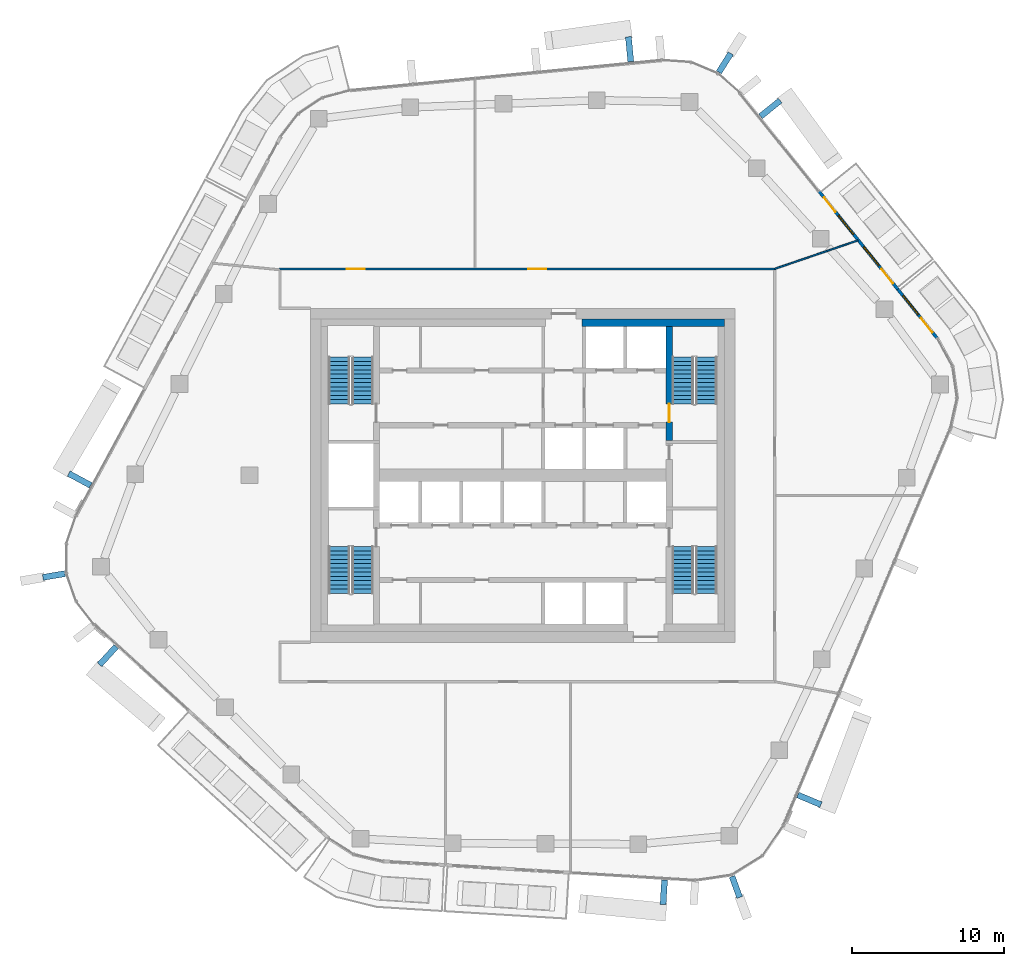
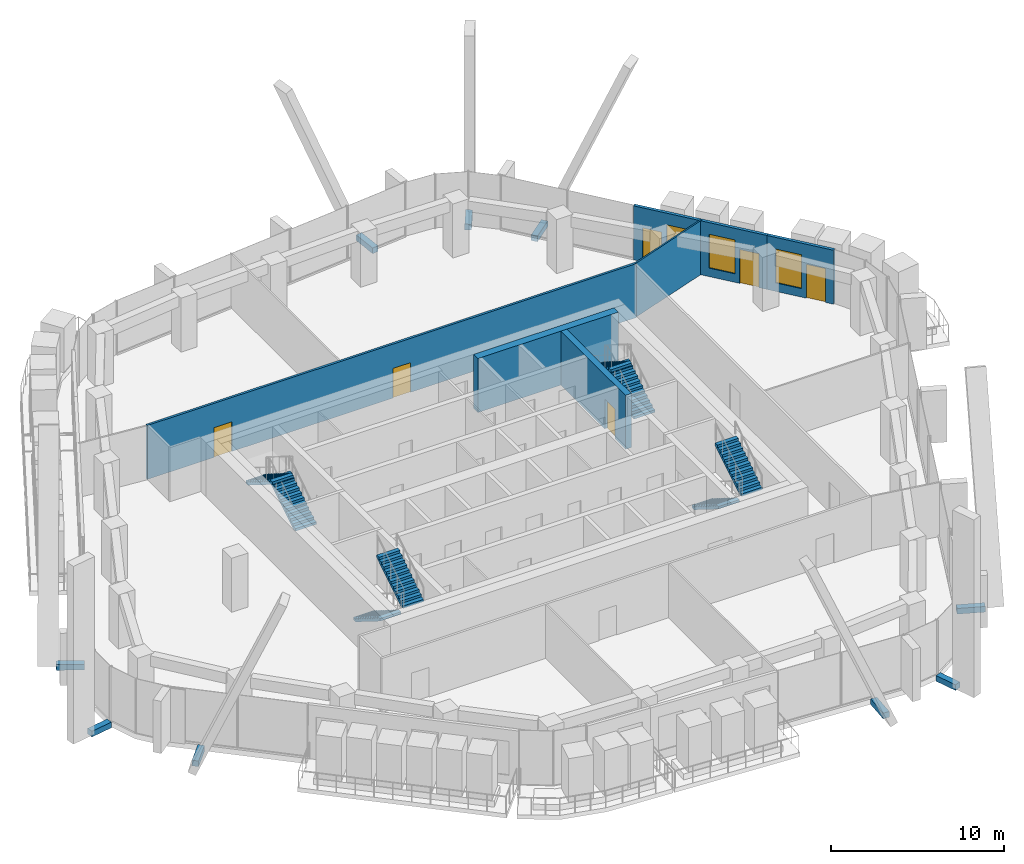
# One storey, part 14 of 20: 9 discrete accessories, 8 stair flights, 6 doors, 6 walls, 3 windows, 9 openings, 4 elements without a shape of their own.
"""IFC4 building model written with IfcOpenShell, lengths in metres."""

from ifc_helpers import new_model, si_unit, direction, frame, frame_2d, origin, origin_2d, place, context, subcontext, project, spatial, polyline, rectangle, outline, extrude, material, layer, layer_set, type_object, element, fill, aggregate, save


model = new_model("IFC4")

# Units and contexts
model_context = context("Model", 3, precision=1e-05, world=origin(), true_north=direction((0.0, 1.0)))
body_context = subcontext(model_context, "Body", "Model", "MODEL_VIEW")
ifc_project = project(units=[si_unit("LENGTHUNIT", "METRE"), si_unit("AREAUNIT", "SQUARE_METRE"), si_unit("VOLUMEUNIT", "CUBIC_METRE"), si_unit("PLANEANGLEUNIT", "RADIAN"), si_unit("MASSUNIT", "GRAM", prefix="KILO")], contexts=[model_context])

# Site, building, storey
site_placement = place(None, origin())
site = spatial("IfcSite", under=ifc_project, at=site_placement, CompositionType="ELEMENT")
building_placement = place(site_placement, origin())
building = spatial("IfcBuilding", under=site, at=building_placement, Name="Dongbaek Canopy Tower", CompositionType="ELEMENT")
storey_placement = place(building_placement, frame((0.0, 0.0, 253.800048828125)))
storey = spatial("IfcBuildingStorey", under=building, at=storey_placement, Name="L53", CompositionType="ELEMENT", Elevation=253.800048828125)

# Wall
ifc_material_1 = material(Name="Concrete C60/75", Category="concrete")
ifc_layer_1 = layer(ifc_material_1, 0.5)
ifc_layer_set_1 = layer_set([ifc_layer_1], Name="Core wall lining 500 Concrete C60/75")
wall_type_1 = type_object("IfcWallType", Name="Core wall lining 500 Concrete C60/75", PredefinedType="SHEAR", material=ifc_layer_set_1)
wall_1_placement = place(storey_placement, frame((3.89990234375, 10.050048828125, 0.0), z_axis=(0.0, 0.0, 1.0), x_axis=(1.0, 0.0, 0.0)))
element("IfcWall", 1, at=wall_1_placement, inside=storey, type_object=wall_type_1, Name="Core wall lining", PredefinedType="SHEAR", context=body_context, shape_type="SweptSolid", body=[
    extrude(rectangle(XDim=9.400146484375, YDim=0.5, at=frame_2d((4.7001953125, 0.0))), origin(), (0.0, 0.0, 1.0), 3.820068359375),
])

# Wall, openings, doors
ifc_material_2 = material(Name="Gypsum board partition, steel stud, 2 x 15 mm fire board", Category="steel")
ifc_layer_2 = layer(ifc_material_2, 0.14990234375)
ifc_layer_set_2 = layer_set([ifc_layer_2], Name="Fire-rated partition 150 gypsum board")
wall_type_2 = type_object("IfcWallType", Name="Fire-rated partition 150 gypsum board", PredefinedType="PARTITIONING", material=ifc_layer_set_2)
wall_2_placement = place(storey_placement, frame((-16.074951171875, 13.60009765625, 0.0), z_axis=(0.0, 0.0, 1.0), x_axis=(1.0, 0.0, 0.0)))
wall_2 = element("IfcWall", 2, at=wall_2_placement, inside=storey, type_object=wall_type_2, Name="Corridor partition", PredefinedType="PARTITIONING", context=body_context, shape_type="SweptSolid", body=[
    extrude(rectangle(XDim=32.75, YDim=0.14990234375, at=frame_2d((16.375, 0.0))), origin(), (0.0, 0.0, 1.0), 3.820068359375),
])
opening_1_placement = place(wall_2_placement, frame((16.43017578125, 0.0, 0.0)))
opening_1 = element("IfcOpeningElement", 3, at=opening_1_placement, cuts=wall_2, Name="Opening L53-D006", PredefinedType="OPENING", context=body_context, shape_type="SweptSolid", body=[
    extrude(rectangle(XDim=1.199951171875, YDim=2.10009765625, at=frame_2d((0.60009765625, 1.050048828125))), frame((0.0, 0.0849609375, 0.0), z_axis=(0.0, -1.0, 0.0), x_axis=(1.0, 0.0, 0.0)), (0.0, 0.0, 1.0), 0.169921875),
])
opening_2_placement = place(wall_2_placement, frame((4.465087890625, 0.0, 0.0)))
opening_2 = element("IfcOpeningElement", 4, at=opening_2_placement, cuts=wall_2, Name="Opening L53-D007", PredefinedType="OPENING", context=body_context, shape_type="SweptSolid", body=[
    extrude(rectangle(XDim=1.199951171875, YDim=2.10009765625, at=frame_2d((0.60009765625, 1.050048828125))), frame((0.0, 0.0849609375, 0.0), z_axis=(0.0, -1.0, 0.0), x_axis=(1.0, 0.0, 0.0)), (0.0, 0.0, 1.0), 0.169921875),
])
ifc_material_3 = material(Name="Timber veneered door leaf", Category="wood")
door_type_1 = type_object("IfcDoorType", Name="Room door 1200 x 2100", OperationType="SINGLE_SWING_LEFT", PredefinedType="DOOR", material=ifc_material_3)
door_1_placement = place(opening_1_placement, origin())
door_1 = element("IfcDoor", 5, at=door_1_placement, inside=storey, type_object=door_type_1, Name="Door L53-D006", OperationType="SINGLE_SWING_LEFT", OverallHeight=2.10009765625, OverallWidth=1.199951171875, PredefinedType="DOOR", context=body_context, shape_type="SweptSolid", body=[
    extrude(rectangle(XDim=1.199951171875, YDim=2.10009765625, at=frame_2d((0.60009765625, 1.050048828125))), frame((0.0, 0.02490234375, 0.0), z_axis=(0.0, -1.0, 0.0), x_axis=(1.0, 0.0, 0.0)), (0.0, 0.0, 1.0), 0.050048828125),
])
fill(opening_1, door_1)
door_2_placement = place(opening_2_placement, origin())
door_2 = element("IfcDoor", 6, at=door_2_placement, inside=storey, type_object=door_type_1, Name="Door L53-D007", OperationType="SINGLE_SWING_RIGHT", OverallHeight=2.10009765625, OverallWidth=1.199951171875, PredefinedType="DOOR", context=body_context, shape_type="SweptSolid", body=[
    extrude(rectangle(XDim=1.199951171875, YDim=2.10009765625, at=frame_2d((0.60009765625, 1.050048828125))), frame((0.0, 0.02490234375, 0.0), z_axis=(0.0, -1.0, 0.0), x_axis=(1.0, 0.0, 0.0)), (0.0, 0.0, 1.0), 0.050048828125),
])
fill(opening_2, door_2)

# Wall
ifc_material_4 = material(Name="Gypsum board partition, steel stud, 2 x 12.5 mm board", Category="steel")
ifc_layer_3 = layer(ifc_material_4, 0.10009765625)
ifc_layer_set_3 = layer_set([ifc_layer_3], Name="Partition 100 gypsum board")
wall_type_3 = type_object("IfcWallType", Name="Partition 100 gypsum board", PredefinedType="PARTITIONING", material=ifc_layer_set_3)
wall_3_placement = place(storey_placement, frame((16.60009765625, 13.599853515625, 0.0), z_axis=(0.0, 0.0, 1.0), x_axis=(0.946142628781, 0.323750098073, 0.0)))
element("IfcWall", 7, at=wall_3_placement, inside=storey, type_object=wall_type_3, Name="Partition", PredefinedType="PARTITIONING", context=body_context, shape_type="SweptSolid", body=[
    extrude(rectangle(XDim=5.80517578125, YDim=0.10009765625, at=frame_2d((2.902587890625, 0.0))), origin(), (0.0, 0.0, 1.0), 3.820068359375),
])

# Wall, opening, door
ifc_material_5 = material(Name="Concrete C60/75", Category="concrete")
ifc_layer_4 = layer(ifc_material_5, 0.39990234375)
ifc_layer_set_4 = layer_set([ifc_layer_4], Name="Stair wall 400 Concrete C60/75")
wall_type_4 = type_object("IfcWallType", Name="Stair wall 400 Concrete C60/75", PredefinedType="SHEAR", material=ifc_layer_set_4)
wall_4_placement = place(storey_placement, frame((9.64990234375, 9.800048828125, 0.0), z_axis=(0.0, 0.0, 1.0), x_axis=(0.0, -1.0, 0.0)))
wall_4 = element("IfcWall", 8, at=wall_4_placement, inside=storey, type_object=wall_type_4, Name="Stair wall", PredefinedType="SHEAR", context=body_context, shape_type="SweptSolid", body=[
    extrude(rectangle(XDim=7.5, YDim=0.39990234375, at=frame_2d((3.75, 0.0))), origin(), (0.0, 0.0, 1.0), 3.820068359375),
])
opening_3_placement = place(wall_4_placement, frame((5.10009765625, 0.0, 0.0)))
opening_3 = element("IfcOpeningElement", 9, at=opening_3_placement, cuts=wall_4, Name="Opening L53-D031", PredefinedType="OPENING", context=body_context, shape_type="SweptSolid", body=[
    extrude(rectangle(XDim=1.199951171875, YDim=2.10009765625, at=frame_2d((0.60009765625, 1.050048828125))), frame((0.0, 0.2099609375, 0.0), z_axis=(0.0, -1.0, 0.0), x_axis=(1.0, 0.0, 0.0)), (0.0, 0.0, 1.0), 0.419921875),
])
ifc_material_6 = material(Name="Steel", Category="steel")
door_type_2 = type_object("IfcDoorType", Name="Stair door 1200 x 2100", OperationType="SINGLE_SWING_LEFT", PredefinedType="DOOR", material=ifc_material_6)
door_3_placement = place(opening_3_placement, origin())
door_3 = element("IfcDoor", 10, at=door_3_placement, inside=storey, type_object=door_type_2, Name="Stair A door", OperationType="SINGLE_SWING_LEFT", OverallHeight=2.10009765625, OverallWidth=1.199951171875, PredefinedType="DOOR", context=body_context, shape_type="SweptSolid", body=[
    extrude(rectangle(XDim=1.199951171875, YDim=2.10009765625, at=frame_2d((0.60009765625, 1.050048828125))), frame((0.0, 0.02490234375, 0.0), z_axis=(0.0, -1.0, 0.0), x_axis=(1.0, 0.0, 0.0)), (0.0, 0.0, 1.0), 0.050048828125),
])
fill(opening_3, door_3)

# Wall, openings, doors, windows
ifc_material_7 = material(Name="Aluminium window wall", Category="aluminium")
ifc_layer_5 = layer(ifc_material_7, 0.199951171875)
ifc_layer_set_5 = layer_set([ifc_layer_5], Name="Window wall 200")
wall_type_5 = type_object("IfcWallType", Name="Window wall 200", PredefinedType="SOLIDWALL", material=ifc_layer_set_5)
wall_5_placement = place(storey_placement, frame((24.712158203125, 12.25537109375, 0.0), z_axis=(0.0, 0.0, 1.0), x_axis=(-0.626871708653, 0.77912249415, 0.0)))
wall_5 = element("IfcWall", 11, at=wall_5_placement, inside=storey, type_object=wall_type_5, Name="Window wall L53 1", PredefinedType="SOLIDWALL", context=body_context, shape_type="SweptSolid", body=[
    extrude(rectangle(XDim=8.29345703125, YDim=0.199951171875, at=frame_2d((4.146728515625, 0.0))), origin(), (0.0, 0.0, 1.0), 3.820068359375),
])
opening_4_placement = place(wall_5_placement, frame((2.0, 0.0, 0.60009765625)))
opening_4 = element("IfcOpeningElement", 12, at=opening_4_placement, cuts=wall_5, Name="Opening W1", PredefinedType="OPENING", context=body_context, shape_type="SweptSolid", body=[
    extrude(rectangle(XDim=1.60009765625, YDim=2.39990234375, at=frame_2d((0.800048828125, 1.199951171875))), frame((0.0, 0.10986328125, 0.0), z_axis=(0.0, -1.0, 0.0), x_axis=(1.0, 0.0, 0.0)), (0.0, 0.0, 1.0), 0.219970703125),
])
opening_5_placement = place(wall_5_placement, frame((0.5, 0.0, 0.0)))
opening_5 = element("IfcOpeningElement", 13, at=opening_5_placement, cuts=wall_5, Name="Opening L53-B01", PredefinedType="OPENING", context=body_context, shape_type="SweptSolid", body=[
    extrude(rectangle(XDim=1.199951171875, YDim=2.39990234375, at=frame_2d((0.60009765625, 1.199951171875))), frame((0.0, 0.10986328125, 0.0), z_axis=(0.0, -1.0, 0.0), x_axis=(1.0, 0.0, 0.0)), (0.0, 0.0, 1.0), 0.219970703125),
])
opening_6_placement = place(wall_5_placement, frame((4.646728515625, 0.0, 0.60009765625)))
opening_6 = element("IfcOpeningElement", 14, at=opening_6_placement, cuts=wall_5, Name="Opening W1", PredefinedType="OPENING", context=body_context, shape_type="SweptSolid", body=[
    extrude(rectangle(XDim=1.60009765625, YDim=2.39990234375, at=frame_2d((0.800048828125, 1.199951171875))), frame((0.0, 0.10986328125, 0.0), z_axis=(0.0, -1.0, 0.0), x_axis=(1.0, 0.0, 0.0)), (0.0, 0.0, 1.0), 0.219970703125),
])
opening_7_placement = place(wall_5_placement, frame((6.546875, 0.0, 0.0)))
opening_7 = element("IfcOpeningElement", 15, at=opening_7_placement, cuts=wall_5, Name="Opening L53-B02", PredefinedType="OPENING", context=body_context, shape_type="SweptSolid", body=[
    extrude(rectangle(XDim=1.199951171875, YDim=2.39990234375, at=frame_2d((0.60009765625, 1.199951171875))), frame((0.0, 0.10986328125, 0.0), z_axis=(0.0, -1.0, 0.0), x_axis=(1.0, 0.0, 0.0)), (0.0, 0.0, 1.0), 0.219970703125),
])
ifc_material_8 = material(Name="Clear glazing in aluminium frame", Category="aluminium")
door_type_3 = type_object("IfcDoorType", Name="Balcony door BD1 1200 x 2400", OperationType="SLIDING_TO_LEFT", PredefinedType="DOOR", material=ifc_material_8)
door_4_placement = place(opening_5_placement, origin())
door_4 = element("IfcDoor", 16, at=door_4_placement, inside=storey, type_object=door_type_3, Name="Balcony door L53-B01", OperationType="SLIDING_TO_LEFT", OverallHeight=2.39990234375, OverallWidth=1.199951171875, PredefinedType="DOOR", context=body_context, shape_type="SweptSolid", body=[
    extrude(rectangle(XDim=1.199951171875, YDim=2.39990234375, at=frame_2d((0.60009765625, 1.199951171875))), frame((0.0, 0.02490234375, 0.0), z_axis=(0.0, -1.0, 0.0), x_axis=(1.0, 0.0, 0.0)), (0.0, 0.0, 1.0), 0.050048828125),
])
fill(opening_5, door_4)
door_5_placement = place(opening_7_placement, origin())
door_5 = element("IfcDoor", 17, at=door_5_placement, inside=storey, type_object=door_type_3, Name="Balcony door L53-B02", OperationType="SLIDING_TO_LEFT", OverallHeight=2.39990234375, OverallWidth=1.199951171875, PredefinedType="DOOR", context=body_context, shape_type="SweptSolid", body=[
    extrude(rectangle(XDim=1.199951171875, YDim=2.39990234375, at=frame_2d((0.60009765625, 1.199951171875))), frame((0.0, 0.02490234375, 0.0), z_axis=(0.0, -1.0, 0.0), x_axis=(1.0, 0.0, 0.0)), (0.0, 0.0, 1.0), 0.050048828125),
])
fill(opening_7, door_5)
ifc_material_9 = material(Name="Clear glazing in aluminium frame", Category="aluminium")
window_type = type_object("IfcWindowType", Name="Window W1 1600 x 2400", PartitioningType="SINGLE_PANEL", PredefinedType="WINDOW", material=ifc_material_9)
window_1_placement = place(opening_4_placement, origin())
window_1 = element("IfcWindow", 18, at=window_1_placement, inside=storey, type_object=window_type, Name="Window L53 1.1", OverallHeight=2.39990234375, OverallWidth=1.60009765625, PartitioningType="SINGLE_PANEL", PredefinedType="WINDOW", context=body_context, shape_type="SweptSolid", body=[
    extrude(rectangle(XDim=1.60009765625, YDim=2.39990234375, at=frame_2d((0.800048828125, 1.199951171875))), frame((0.0, 0.030029296875, 0.0), z_axis=(0.0, -1.0, 0.0), x_axis=(1.0, 0.0, 0.0)), (0.0, 0.0, 1.0), 0.06005859375),
])
fill(opening_4, window_1)
window_2_placement = place(opening_6_placement, origin())
window_2 = element("IfcWindow", 19, at=window_2_placement, inside=storey, type_object=window_type, Name="Window L53 1.2", OverallHeight=2.39990234375, OverallWidth=1.60009765625, PartitioningType="SINGLE_PANEL", PredefinedType="WINDOW", context=body_context, shape_type="SweptSolid", body=[
    extrude(rectangle(XDim=1.60009765625, YDim=2.39990234375, at=frame_2d((0.800048828125, 1.199951171875))), frame((0.0, 0.030029296875, 0.0), z_axis=(0.0, -1.0, 0.0), x_axis=(1.0, 0.0, 0.0)), (0.0, 0.0, 1.0), 0.06005859375),
])
fill(opening_6, window_2)

# Wall, openings, door, window
wall_6_placement = place(storey_placement, frame((27.305908203125, 9.031494140625, 0.0), z_axis=(0.0, 0.0, 1.0), x_axis=(-0.626851318776, 0.779138899137, 0.0)))
wall_6 = element("IfcWall", 20, at=wall_6_placement, inside=storey, type_object=wall_type_5, Name="Window wall L53 5", PredefinedType="SOLIDWALL", context=body_context, shape_type="SweptSolid", body=[
    extrude(rectangle(XDim=4.1376953125, YDim=0.199951171875, at=frame_2d((2.06884765625, 0.0))), origin(), (0.0, 0.0, 1.0), 3.820068359375),
])
opening_8_placement = place(wall_6_placement, frame((2.0, 0.0, 0.60009765625)))
opening_8 = element("IfcOpeningElement", 21, at=opening_8_placement, cuts=wall_6, Name="Opening W1", PredefinedType="OPENING", context=body_context, shape_type="SweptSolid", body=[
    extrude(rectangle(XDim=1.60009765625, YDim=2.39990234375, at=frame_2d((0.800048828125, 1.199951171875))), frame((0.0, 0.10986328125, 0.0), z_axis=(0.0, -1.0, 0.0), x_axis=(1.0, 0.0, 0.0)), (0.0, 0.0, 1.0), 0.219970703125),
])
opening_9_placement = place(wall_6_placement, frame((0.5, 0.0, 0.0)))
opening_9 = element("IfcOpeningElement", 22, at=opening_9_placement, cuts=wall_6, Name="Opening L53-B03", PredefinedType="OPENING", context=body_context, shape_type="SweptSolid", body=[
    extrude(rectangle(XDim=1.199951171875, YDim=2.39990234375, at=frame_2d((0.60009765625, 1.199951171875))), frame((0.0, 0.10986328125, 0.0), z_axis=(0.0, -1.0, 0.0), x_axis=(1.0, 0.0, 0.0)), (0.0, 0.0, 1.0), 0.219970703125),
])
door_6_placement = place(opening_9_placement, origin())
door_6 = element("IfcDoor", 23, at=door_6_placement, inside=storey, type_object=door_type_3, Name="Balcony door L53-B03", OperationType="SLIDING_TO_LEFT", OverallHeight=2.39990234375, OverallWidth=1.199951171875, PredefinedType="DOOR", context=body_context, shape_type="SweptSolid", body=[
    extrude(rectangle(XDim=1.199951171875, YDim=2.39990234375, at=frame_2d((0.60009765625, 1.199951171875))), frame((0.0, 0.02490234375, 0.0), z_axis=(0.0, -1.0, 0.0), x_axis=(1.0, 0.0, 0.0)), (0.0, 0.0, 1.0), 0.050048828125),
])
fill(opening_9, door_6)
window_3_placement = place(opening_8_placement, origin())
window_3 = element("IfcWindow", 24, at=window_3_placement, inside=storey, type_object=window_type, Name="Window L53 5.1", OverallHeight=2.39990234375, OverallWidth=1.60009765625, PartitioningType="SINGLE_PANEL", PredefinedType="WINDOW", context=body_context, shape_type="SweptSolid", body=[
    extrude(rectangle(XDim=1.60009765625, YDim=2.39990234375, at=frame_2d((0.800048828125, 1.199951171875))), frame((0.0, 0.030029296875, 0.0), z_axis=(0.0, -1.0, 0.0), x_axis=(1.0, 0.0, 0.0)), (0.0, 0.0, 1.0), 0.06005859375),
])
fill(opening_8, window_3)

# Stair, stair flights
ifc_material_10 = material(Name="Concrete C40/50", Category="concrete")
stair_type = type_object("IfcStairType", Name="Core exit stair", PredefinedType="HALF_TURN_STAIR", material=ifc_material_10)
stair_1_placement = place(storey_placement, origin())
stair_1 = element("IfcStair", 25, at=stair_1_placement, inside=storey, type_object=stair_type, Name="L53 exit stair A", PredefinedType="HALF_TURN_STAIR")
ifc_material_11 = material(Name="Concrete C40/50", Category="concrete")
ifc_layer_6 = layer(ifc_material_11, 0.14990234375)
ifc_layer_set_6 = layer_set([ifc_layer_6], Name="Core stair flight 150 waist")
stair_flight_type = type_object("IfcStairFlightType", Name="Core stair flight 150 waist", PredefinedType="STRAIGHT", material=ifc_layer_set_6)
stair_flight_1_placement = place(storey_placement, frame((12.10009765625, 4.699951171875, 0.0), z_axis=(0.0, 0.0, 1.0), x_axis=(0.0, 1.0, 0.0)))
stair_flight_1 = element("IfcStairFlight", 26, at=stair_flight_1_placement, type_object=stair_flight_type, Name="ST-A flight 1", NumberOfRisers=12, NumberOfTreads=11, PredefinedType="STRAIGHT", RiserHeight=0.175, TreadLength=0.28, context=body_context, shape_type="SweptSolid", body=[
    extrude(outline(polyline([(0.0, 0.0), (0.0, 0.175048828125), (0.280029296875, 0.175048828125), (0.280029296875, 0.35009765625), (0.56005859375, 0.35009765625), (0.56005859375, 0.52490234375), (0.840087890625, 0.52490234375), (0.840087890625, 0.699951171875), (1.1201171875, 0.699951171875), (1.1201171875, 0.875), (1.39990234375, 0.875), (1.39990234375, 1.050048828125), (1.679931640625, 1.050048828125), (1.679931640625, 1.22509765625), (1.9599609375, 1.22509765625), (1.9599609375, 1.39990234375), (2.239990234375, 1.39990234375), (2.239990234375, 1.574951171875), (2.52001953125, 1.574951171875), (2.52001953125, 1.75), (2.800048828125, 1.75), (2.800048828125, 1.925048828125), (3.080078125, 1.925048828125), (3.080078125, 2.10009765625), (3.080078125, 1.748291015625), (0.28271484375, 0.0), (0.0, 0.0)])), frame((0.0, 0.699951171875, 0.0), z_axis=(0.0, -1.0, 0.0), x_axis=(1.0, 0.0, 0.0)), (0.0, 0.0, 1.0), 1.39990234375),
])
stair_flight_2_placement = place(storey_placement, frame((10.550048828125, 7.780029296875, 2.099853515625), z_axis=(0.0, 0.0, 1.0), x_axis=(0.0, -1.0, 0.0)))
stair_flight_2 = element("IfcStairFlight", 27, at=stair_flight_2_placement, type_object=stair_flight_type, Name="ST-A flight 2", NumberOfRisers=12, NumberOfTreads=11, PredefinedType="STRAIGHT", RiserHeight=0.175, TreadLength=0.28, context=body_context, shape_type="SweptSolid", body=[
    extrude(outline(polyline([(0.0, 0.0), (0.0, 0.175048828125), (0.280029296875, 0.175048828125), (0.280029296875, 0.35009765625), (0.56005859375, 0.35009765625), (0.56005859375, 0.52490234375), (0.840087890625, 0.52490234375), (0.840087890625, 0.699951171875), (1.1201171875, 0.699951171875), (1.1201171875, 0.875), (1.39990234375, 0.875), (1.39990234375, 1.050048828125), (1.679931640625, 1.050048828125), (1.679931640625, 1.22509765625), (1.9599609375, 1.22509765625), (1.9599609375, 1.39990234375), (2.239990234375, 1.39990234375), (2.239990234375, 1.574951171875), (2.52001953125, 1.574951171875), (2.52001953125, 1.75), (2.800048828125, 1.75), (2.800048828125, 1.925048828125), (3.080078125, 1.925048828125), (3.080078125, 2.10009765625), (3.080078125, 1.748291015625), (0.28271484375, 0.0), (0.0, 0.0)])), frame((0.0, 0.699951171875, 0.0), z_axis=(0.0, -1.0, 0.0), x_axis=(1.0, 0.0, 0.0)), (0.0, 0.0, 1.0), 1.39990234375),
])
aggregate(stair_1, [stair_flight_1, stair_flight_2])

stair_2_placement = place(storey_placement, origin())
stair_2 = element("IfcStair", 28, at=stair_2_placement, inside=storey, type_object=stair_type, Name="L53 exit stair C", PredefinedType="HALF_TURN_STAIR")
stair_flight_3_placement = place(storey_placement, frame((-10.550048828125, 4.699951171875, 0.0), z_axis=(0.0, 0.0, 1.0), x_axis=(0.0, 1.0, 0.0)))
stair_flight_3 = element("IfcStairFlight", 29, at=stair_flight_3_placement, type_object=stair_flight_type, Name="ST-C flight 1", NumberOfRisers=12, NumberOfTreads=11, PredefinedType="STRAIGHT", RiserHeight=0.175, TreadLength=0.28, context=body_context, shape_type="SweptSolid", body=[
    extrude(outline(polyline([(0.0, 0.0), (0.0, 0.175048828125), (0.280029296875, 0.175048828125), (0.280029296875, 0.35009765625), (0.56005859375, 0.35009765625), (0.56005859375, 0.52490234375), (0.840087890625, 0.52490234375), (0.840087890625, 0.699951171875), (1.1201171875, 0.699951171875), (1.1201171875, 0.875), (1.39990234375, 0.875), (1.39990234375, 1.050048828125), (1.679931640625, 1.050048828125), (1.679931640625, 1.22509765625), (1.9599609375, 1.22509765625), (1.9599609375, 1.39990234375), (2.239990234375, 1.39990234375), (2.239990234375, 1.574951171875), (2.52001953125, 1.574951171875), (2.52001953125, 1.75), (2.800048828125, 1.75), (2.800048828125, 1.925048828125), (3.080078125, 1.925048828125), (3.080078125, 2.10009765625), (3.080078125, 1.748291015625), (0.28271484375, 0.0), (0.0, 0.0)])), frame((0.0, 0.699951171875, 0.0), z_axis=(0.0, -1.0, 0.0), x_axis=(1.0, 0.0, 0.0)), (0.0, 0.0, 1.0), 1.39990234375),
])
stair_flight_4_placement = place(storey_placement, frame((-12.10009765625, 7.780029296875, 2.099853515625), z_axis=(0.0, 0.0, 1.0), x_axis=(0.0, -1.0, 0.0)))
stair_flight_4 = element("IfcStairFlight", 30, at=stair_flight_4_placement, type_object=stair_flight_type, Name="ST-C flight 2", NumberOfRisers=12, NumberOfTreads=11, PredefinedType="STRAIGHT", RiserHeight=0.175, TreadLength=0.28, context=body_context, shape_type="SweptSolid", body=[
    extrude(outline(polyline([(0.0, 0.0), (0.0, 0.175048828125), (0.280029296875, 0.175048828125), (0.280029296875, 0.35009765625), (0.56005859375, 0.35009765625), (0.56005859375, 0.52490234375), (0.840087890625, 0.52490234375), (0.840087890625, 0.699951171875), (1.1201171875, 0.699951171875), (1.1201171875, 0.875), (1.39990234375, 0.875), (1.39990234375, 1.050048828125), (1.679931640625, 1.050048828125), (1.679931640625, 1.22509765625), (1.9599609375, 1.22509765625), (1.9599609375, 1.39990234375), (2.239990234375, 1.39990234375), (2.239990234375, 1.574951171875), (2.52001953125, 1.574951171875), (2.52001953125, 1.75), (2.800048828125, 1.75), (2.800048828125, 1.925048828125), (3.080078125, 1.925048828125), (3.080078125, 2.10009765625), (3.080078125, 1.748291015625), (0.28271484375, 0.0), (0.0, 0.0)])), frame((0.0, 0.699951171875, 0.0), z_axis=(0.0, -1.0, 0.0), x_axis=(1.0, 0.0, 0.0)), (0.0, 0.0, 1.0), 1.39990234375),
])
aggregate(stair_2, [stair_flight_3, stair_flight_4])

stair_3_placement = place(storey_placement, origin())
stair_3 = element("IfcStair", 31, at=stair_3_placement, inside=storey, type_object=stair_type, Name="L53 exit stair B", PredefinedType="HALF_TURN_STAIR")
stair_flight_5_placement = place(storey_placement, frame((10.550048828125, -4.699951171875, 0.0), z_axis=(0.0, 0.0, 1.0), x_axis=(0.0, -1.0, 0.0)))
stair_flight_5 = element("IfcStairFlight", 32, at=stair_flight_5_placement, type_object=stair_flight_type, Name="ST-B flight 1", NumberOfRisers=12, NumberOfTreads=11, PredefinedType="STRAIGHT", RiserHeight=0.175, TreadLength=0.28, context=body_context, shape_type="SweptSolid", body=[
    extrude(outline(polyline([(0.0, 0.0), (0.0, 0.175048828125), (0.280029296875, 0.175048828125), (0.280029296875, 0.35009765625), (0.56005859375, 0.35009765625), (0.56005859375, 0.52490234375), (0.840087890625, 0.52490234375), (0.840087890625, 0.699951171875), (1.1201171875, 0.699951171875), (1.1201171875, 0.875), (1.39990234375, 0.875), (1.39990234375, 1.050048828125), (1.679931640625, 1.050048828125), (1.679931640625, 1.22509765625), (1.9599609375, 1.22509765625), (1.9599609375, 1.39990234375), (2.239990234375, 1.39990234375), (2.239990234375, 1.574951171875), (2.52001953125, 1.574951171875), (2.52001953125, 1.75), (2.800048828125, 1.75), (2.800048828125, 1.925048828125), (3.080078125, 1.925048828125), (3.080078125, 2.10009765625), (3.080078125, 1.748291015625), (0.28271484375, 0.0), (0.0, 0.0)])), frame((0.0, 0.699951171875, 0.0), z_axis=(0.0, -1.0, 0.0), x_axis=(1.0, 0.0, 0.0)), (0.0, 0.0, 1.0), 1.39990234375),
])
stair_flight_6_placement = place(storey_placement, frame((12.10009765625, -7.780029296875, 2.099853515625), z_axis=(0.0, 0.0, 1.0), x_axis=(0.0, 1.0, 0.0)))
stair_flight_6 = element("IfcStairFlight", 33, at=stair_flight_6_placement, type_object=stair_flight_type, Name="ST-B flight 2", NumberOfRisers=12, NumberOfTreads=11, PredefinedType="STRAIGHT", RiserHeight=0.175, TreadLength=0.28, context=body_context, shape_type="SweptSolid", body=[
    extrude(outline(polyline([(0.0, 0.0), (0.0, 0.175048828125), (0.280029296875, 0.175048828125), (0.280029296875, 0.35009765625), (0.56005859375, 0.35009765625), (0.56005859375, 0.52490234375), (0.840087890625, 0.52490234375), (0.840087890625, 0.699951171875), (1.1201171875, 0.699951171875), (1.1201171875, 0.875), (1.39990234375, 0.875), (1.39990234375, 1.050048828125), (1.679931640625, 1.050048828125), (1.679931640625, 1.22509765625), (1.9599609375, 1.22509765625), (1.9599609375, 1.39990234375), (2.239990234375, 1.39990234375), (2.239990234375, 1.574951171875), (2.52001953125, 1.574951171875), (2.52001953125, 1.75), (2.800048828125, 1.75), (2.800048828125, 1.925048828125), (3.080078125, 1.925048828125), (3.080078125, 2.10009765625), (3.080078125, 1.748291015625), (0.28271484375, 0.0), (0.0, 0.0)])), frame((0.0, 0.699951171875, 0.0), z_axis=(0.0, -1.0, 0.0), x_axis=(1.0, 0.0, 0.0)), (0.0, 0.0, 1.0), 1.39990234375),
])
aggregate(stair_3, [stair_flight_5, stair_flight_6])

stair_4_placement = place(storey_placement, origin())
stair_4 = element("IfcStair", 34, at=stair_4_placement, inside=storey, type_object=stair_type, Name="L53 exit stair D", PredefinedType="HALF_TURN_STAIR")
stair_flight_7_placement = place(storey_placement, frame((-12.10009765625, -4.699951171875, 0.0), z_axis=(0.0, 0.0, 1.0), x_axis=(0.0, -1.0, 0.0)))
stair_flight_7 = element("IfcStairFlight", 35, at=stair_flight_7_placement, type_object=stair_flight_type, Name="ST-D flight 1", NumberOfRisers=12, NumberOfTreads=11, PredefinedType="STRAIGHT", RiserHeight=0.175, TreadLength=0.28, context=body_context, shape_type="SweptSolid", body=[
    extrude(outline(polyline([(0.0, 0.0), (0.0, 0.175048828125), (0.280029296875, 0.175048828125), (0.280029296875, 0.35009765625), (0.56005859375, 0.35009765625), (0.56005859375, 0.52490234375), (0.840087890625, 0.52490234375), (0.840087890625, 0.699951171875), (1.1201171875, 0.699951171875), (1.1201171875, 0.875), (1.39990234375, 0.875), (1.39990234375, 1.050048828125), (1.679931640625, 1.050048828125), (1.679931640625, 1.22509765625), (1.9599609375, 1.22509765625), (1.9599609375, 1.39990234375), (2.239990234375, 1.39990234375), (2.239990234375, 1.574951171875), (2.52001953125, 1.574951171875), (2.52001953125, 1.75), (2.800048828125, 1.75), (2.800048828125, 1.925048828125), (3.080078125, 1.925048828125), (3.080078125, 2.10009765625), (3.080078125, 1.748291015625), (0.28271484375, 0.0), (0.0, 0.0)])), frame((0.0, 0.699951171875, 0.0), z_axis=(0.0, -1.0, 0.0), x_axis=(1.0, 0.0, 0.0)), (0.0, 0.0, 1.0), 1.39990234375),
])
stair_flight_8_placement = place(storey_placement, frame((-10.550048828125, -7.780029296875, 2.099853515625), z_axis=(0.0, 0.0, 1.0), x_axis=(0.0, 1.0, 0.0)))
stair_flight_8 = element("IfcStairFlight", 36, at=stair_flight_8_placement, type_object=stair_flight_type, Name="ST-D flight 2", NumberOfRisers=12, NumberOfTreads=11, PredefinedType="STRAIGHT", RiserHeight=0.175, TreadLength=0.28, context=body_context, shape_type="SweptSolid", body=[
    extrude(outline(polyline([(0.0, 0.0), (0.0, 0.175048828125), (0.280029296875, 0.175048828125), (0.280029296875, 0.35009765625), (0.56005859375, 0.35009765625), (0.56005859375, 0.52490234375), (0.840087890625, 0.52490234375), (0.840087890625, 0.699951171875), (1.1201171875, 0.699951171875), (1.1201171875, 0.875), (1.39990234375, 0.875), (1.39990234375, 1.050048828125), (1.679931640625, 1.050048828125), (1.679931640625, 1.22509765625), (1.9599609375, 1.22509765625), (1.9599609375, 1.39990234375), (2.239990234375, 1.39990234375), (2.239990234375, 1.574951171875), (2.52001953125, 1.574951171875), (2.52001953125, 1.75), (2.800048828125, 1.75), (2.800048828125, 1.925048828125), (3.080078125, 1.925048828125), (3.080078125, 2.10009765625), (3.080078125, 1.748291015625), (0.28271484375, 0.0), (0.0, 0.0)])), frame((0.0, 0.699951171875, 0.0), z_axis=(0.0, -1.0, 0.0), x_axis=(1.0, 0.0, 0.0)), (0.0, 0.0, 1.0), 1.39990234375),
])
aggregate(stair_4, [stair_flight_7, stair_flight_8])

# Discrete accessories
ifc_material_12 = material(Name="Galvanised steel S355 bracket", Category="steel")
discrete_accessory_type = type_object("IfcDiscreteAccessoryType", Name="Crease fin bracket BR3 400", PredefinedType="BRACKET", material=ifc_material_12)
discrete_accessory_1_placement = place(storey_placement, frame((16.314208984375, 24.17041015625, -0.389892578125), z_axis=(0.0, 0.0, 1.0), x_axis=(0.779126850138, 0.62686629467, 0.0)))
element("IfcDiscreteAccessory", 37, at=discrete_accessory_1_placement, inside=storey, type_object=discrete_accessory_type, Name="Crease fin bracket L53 F0", PredefinedType="BRACKET", context=body_context, shape_type="SweptSolid", body=[
    extrude(rectangle(XDim=1.652587890625, YDim=0.39990234375, at=origin_2d()), origin(), (0.0, 0.0, 1.0), 0.39990234375),
])
discrete_accessory_2_placement = place(storey_placement, frame((7.038818359375, 28.07568359375, -0.389892578125), z_axis=(0.0, 0.0, 1.0), x_axis=(-0.096505903151, 0.99533241214, 0.0)))
element("IfcDiscreteAccessory", 38, at=discrete_accessory_2_placement, inside=storey, type_object=discrete_accessory_type, Name="Crease fin bracket L53 F1", PredefinedType="BRACKET", context=body_context, shape_type="SweptSolid", body=[
    extrude(rectangle(XDim=1.64599609375, YDim=0.39990234375, at=origin_2d()), origin(), (0.0, 0.0, 1.0), 0.39990234375),
])
discrete_accessory_3_placement = place(storey_placement, frame((-29.19189453125, -0.272705078125, -0.389892578125), z_axis=(0.0, 0.0, 1.0), x_axis=(-0.879876754769, 0.475201953296, 0.0)))
element("IfcDiscreteAccessory", 39, at=discrete_accessory_3_placement, inside=storey, type_object=discrete_accessory_type, Name="Crease fin bracket L53 F2", PredefinedType="BRACKET", context=body_context, shape_type="SweptSolid", body=[
    extrude(rectangle(XDim=1.640380859375, YDim=0.39990234375, at=origin_2d()), origin(), (0.0, 0.0, 1.0), 0.39990234375),
])
discrete_accessory_4_placement = place(storey_placement, frame((-27.333984375, -11.881591796875, -0.389892578125), z_axis=(0.0, 0.0, 1.0), x_axis=(-0.673879535068, -0.738841236137, 0.0)))
element("IfcDiscreteAccessory", 40, at=discrete_accessory_4_placement, inside=storey, type_object=discrete_accessory_type, Name="Crease fin bracket L53 F3", PredefinedType="BRACKET", context=body_context, shape_type="SweptSolid", body=[
    extrude(rectangle(XDim=1.6201171875, YDim=0.39990234375, at=origin_2d()), origin(), (0.0, 0.0, 1.0), 0.39990234375),
])
discrete_accessory_5_placement = place(storey_placement, frame((9.29443359375, -27.46923828125, -0.389892578125), z_axis=(0.0, 0.0, 1.0), x_axis=(-0.060745415873, -0.99815329206, 0.0)))
element("IfcDiscreteAccessory", 41, at=discrete_accessory_5_placement, inside=storey, type_object=discrete_accessory_type, Name="Crease fin bracket L53 F4", PredefinedType="BRACKET", context=body_context, shape_type="SweptSolid", body=[
    extrude(rectangle(XDim=1.62548828125, YDim=0.39990234375, at=origin_2d()), origin(), (0.0, 0.0, 1.0), 0.39990234375),
])
discrete_accessory_6_placement = place(storey_placement, frame((18.88623046875, -21.382080078125, -0.389892578125), z_axis=(0.0, 0.0, 1.0), x_axis=(0.92178738364, -0.387695781976, 0.0)))
element("IfcDiscreteAccessory", 42, at=discrete_accessory_6_placement, inside=storey, type_object=discrete_accessory_type, Name="Crease fin bracket L53 F5", PredefinedType="BRACKET", context=body_context, shape_type="SweptSolid", body=[
    extrude(rectangle(XDim=1.651123046875, YDim=0.39990234375, at=origin_2d()), origin(), (0.0, 0.0, 1.0), 0.39990234375),
])
for number, where, z_axis, x_axis, name in (
    (43, (13.3134765625, 27.1748046875, -0.389892578125), (0.0, 0.0, 1.0), (0.533974629453, 0.845500499764, 0.0), "Corner fin bracket L53 K1"),
    (44, (-30.89111328125, -6.603271484375, -0.389892578125), (0.0, 0.0, 1.0), (-0.985907998064, -0.167288431619, 0.0), "Corner fin bracket L53 K3"),
    (45, (14.04150390625, -27.117919921875, -0.389892578125), (0.0, 0.0, 1.0), (0.343241708253, -0.939247107909, 0.0), "Corner fin bracket L53 K5"),
):
    element("IfcDiscreteAccessory", number, at=place(storey_placement, frame(where, z_axis=z_axis, x_axis=x_axis)), inside=storey, type_object=discrete_accessory_type, Name=name, PredefinedType="BRACKET", context=body_context, shape_type="SweptSolid", body=[
        extrude(rectangle(XDim=1.469970703125, YDim=0.39990234375, at=origin_2d()), origin(), (0.0, 0.0, 1.0), 0.39990234375),
    ])

save(model, "model.ifc")
